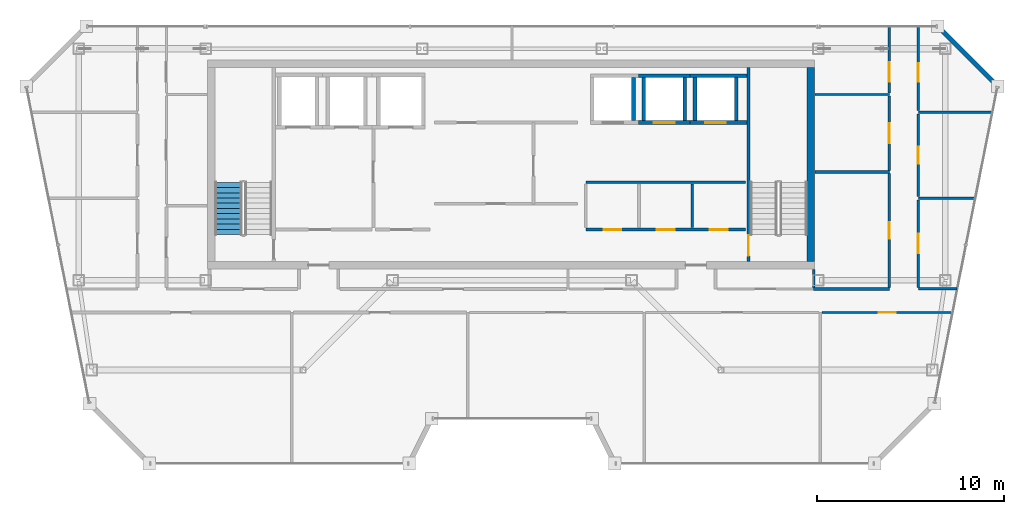
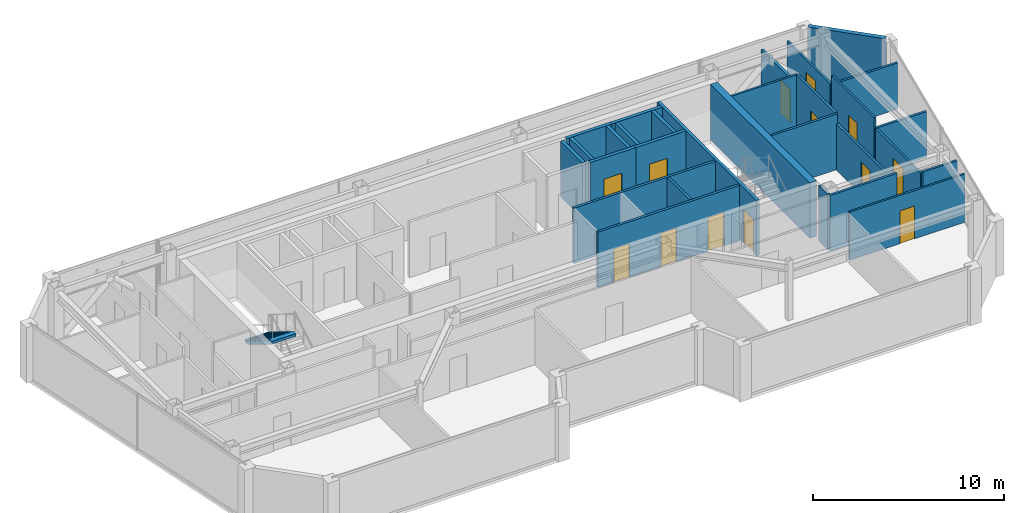
# One storey, part 20 of 24: 29 walls, 13 doors, 1 stair flight, 13 openings, 1 element without a shape of its own.
"""IFC4 building model written with IfcOpenShell, lengths in metres."""

from ifc_helpers import new_model, si_unit, direction, frame, frame_2d, origin, place, context, subcontext, project, spatial, polyline, rectangle, outline, extrude, material, layer, layer_set, type_object, element, fill, aggregate, save


model = new_model("IFC4")

# Units and contexts
model_context = context("Model", 3, precision=1e-05, world=origin(), true_north=direction((0.0, 1.0)))
body_context = subcontext(model_context, "Body", "Model", "MODEL_VIEW")
ifc_project = project(units=[si_unit("LENGTHUNIT", "METRE"), si_unit("AREAUNIT", "SQUARE_METRE"), si_unit("VOLUMEUNIT", "CUBIC_METRE"), si_unit("PLANEANGLEUNIT", "RADIAN"), si_unit("MASSUNIT", "GRAM", prefix="KILO")], contexts=[model_context])

# Site, building, storey
site_placement = place(None, origin())
site = spatial("IfcSite", under=ifc_project, at=site_placement, CompositionType="ELEMENT")
building_placement = place(site_placement, origin())
building = spatial("IfcBuilding", under=site, at=building_placement, Name="Saevonmaru Cultural Tower", CompositionType="ELEMENT")
storey_placement = place(building_placement, frame((0.0, 0.0, 299.0)))
storey = spatial("IfcBuildingStorey", under=building, at=storey_placement, Name="L71", CompositionType="ELEMENT", Elevation=299.0)

# Wall
ifc_material_1 = material(Name="Concrete C50/60", Category="concrete")
ifc_layer_1 = layer(ifc_material_1, 0.39990234375, Name="Concrete C50/60")
ifc_layer_set_1 = layer_set([ifc_layer_1], Name="Concrete C50/60")
wall_type_1 = type_object("IfcWallType", Name="WL-CORE-400", PredefinedType="SHEAR", material=ifc_layer_set_1)
wall_1_placement = place(storey_placement, frame((46.0, 43.39990234375, 0.0), z_axis=(0.0, 0.0, 1.0), x_axis=(0.0, 1.0, 0.0)))
element("IfcWall", 1, at=wall_1_placement, inside=storey, type_object=wall_type_1, Name="L71 Tower RC core shear wall E", PredefinedType="SHEAR", context=body_context, shape_type="SweptSolid", body=[
    extrude(rectangle(XDim=10.400146484375, YDim=0.39990234375, at=frame_2d((5.2001953125, 0.0))), origin(), (0.0, 0.0, 1.0), 3.550048828125),
])

# Wall, openings, doors
ifc_material_2 = material(Name="Gypsum Fireboard Partition", Category="gypsum")
ifc_layer_2 = layer(ifc_material_2, 0.14990234375, Name="Gypsum Fireboard Partition")
ifc_layer_set_2 = layer_set([ifc_layer_2], Name="Gypsum Fireboard Partition")
wall_type_2 = type_object("IfcWallType", Name="WL-CORE-PART-150", PredefinedType="PARTITIONING", material=ifc_layer_set_2)
wall_2_placement = place(storey_placement, frame((33.949951171875, 45.1201171875, 0.0), z_axis=(0.0, 0.0, 1.0), x_axis=(1.0, 0.0, 0.0)))
wall_2 = element("IfcWall", 2, at=wall_2_placement, inside=storey, type_object=wall_type_2, Name="L71 Core Utility South Wall", PredefinedType="PARTITIONING", context=body_context, shape_type="SweptSolid", body=[
    extrude(rectangle(XDim=8.550048828125, YDim=0.14990234375, at=frame_2d((4.27490234375, 0.0))), origin(), (0.0, 0.0, 1.0), 3.550048828125),
])
opening_1_placement = place(wall_2_placement, frame((0.949951171875, 0.0, 0.0)))
opening_1 = element("IfcOpeningElement", 3, at=opening_1_placement, cuts=wall_2, Name="Opening FD-4", PredefinedType="OPENING", context=body_context, shape_type="SweptSolid", body=[
    extrude(rectangle(XDim=0.949951171875, YDim=2.14990234375, at=frame_2d((0.47509765625, 1.074951171875))), frame((0.0, 0.0849609375, 0.0), z_axis=(0.0, -1.0, 0.0), x_axis=(1.0, 0.0, 0.0)), (0.0, 0.0, 1.0), 0.169921875),
])
opening_2_placement = place(wall_2_placement, frame((3.800048828125, 0.0, 0.0)))
opening_2 = element("IfcOpeningElement", 4, at=opening_2_placement, cuts=wall_2, Name="Opening FD-4", PredefinedType="OPENING", context=body_context, shape_type="SweptSolid", body=[
    extrude(rectangle(XDim=0.949951171875, YDim=2.14990234375, at=frame_2d((0.47509765625, 1.074951171875))), frame((0.0, 0.0849609375, 0.0), z_axis=(0.0, -1.0, 0.0), x_axis=(1.0, 0.0, 0.0)), (0.0, 0.0, 1.0), 0.169921875),
])
opening_3_placement = place(wall_2_placement, frame((6.64990234375, 0.0, 0.0)))
opening_3 = element("IfcOpeningElement", 5, at=opening_3_placement, cuts=wall_2, Name="Opening FD-4", PredefinedType="OPENING", context=body_context, shape_type="SweptSolid", body=[
    extrude(rectangle(XDim=0.949951171875, YDim=2.14990234375, at=frame_2d((0.47509765625, 1.074951171875))), frame((0.0, 0.0849609375, 0.0), z_axis=(0.0, -1.0, 0.0), x_axis=(1.0, 0.0, 0.0)), (0.0, 0.0, 1.0), 0.169921875),
])
ifc_material_3 = material(Name="Satin Bronze Anodised Aluminium", Category="aluminium")
door_type_1 = type_object("IfcDoorType", Name="DR-FD60-950", OperationType="SINGLE_SWING_LEFT", PredefinedType="DOOR", material=ifc_material_3)
door_1_placement = place(opening_1_placement, origin())
door_1 = element("IfcDoor", 6, at=door_1_placement, inside=storey, type_object=door_type_1, Name="L71 Meter Plant Door", OperationType="SINGLE_SWING_LEFT", OverallHeight=2.14990234375, OverallWidth=0.949951171875, PredefinedType="DOOR", context=body_context, shape_type="SweptSolid", body=[
    extrude(rectangle(XDim=0.949951171875, YDim=2.14990234375, at=frame_2d((0.47509765625, 1.074951171875))), frame((0.0, 0.02490234375, 0.0), z_axis=(0.0, -1.0, 0.0), x_axis=(1.0, 0.0, 0.0)), (0.0, 0.0, 1.0), 0.050048828125),
])
fill(opening_1, door_1)
door_2_placement = place(opening_2_placement, origin())
door_2 = element("IfcDoor", 7, at=door_2_placement, inside=storey, type_object=door_type_1, Name="L71 AV Rack Plant Door", OperationType="SINGLE_SWING_LEFT", OverallHeight=2.14990234375, OverallWidth=0.949951171875, PredefinedType="DOOR", context=body_context, shape_type="SweptSolid", body=[
    extrude(rectangle(XDim=0.949951171875, YDim=2.14990234375, at=frame_2d((0.47509765625, 1.074951171875))), frame((0.0, 0.02490234375, 0.0), z_axis=(0.0, -1.0, 0.0), x_axis=(1.0, 0.0, 0.0)), (0.0, 0.0, 1.0), 0.050048828125),
])
fill(opening_2, door_2)
door_3_placement = place(opening_3_placement, origin())
door_3 = element("IfcDoor", 8, at=door_3_placement, inside=storey, type_object=door_type_1, Name="L71 Archive Supply Storage Door", OperationType="SINGLE_SWING_LEFT", OverallHeight=2.14990234375, OverallWidth=0.949951171875, PredefinedType="DOOR", context=body_context, shape_type="SweptSolid", body=[
    extrude(rectangle(XDim=0.949951171875, YDim=2.14990234375, at=frame_2d((0.47509765625, 1.074951171875))), frame((0.0, 0.02490234375, 0.0), z_axis=(0.0, -1.0, 0.0), x_axis=(1.0, 0.0, 0.0)), (0.0, 0.0, 1.0), 0.050048828125),
])
fill(opening_3, door_3)

# Walls
wall_3_placement = place(storey_placement, frame((33.949951171875, 47.64990234375, 0.0), z_axis=(0.0, 0.0, 1.0), x_axis=(1.0, 0.0, 0.0)))
element("IfcWall", 9, at=wall_3_placement, inside=storey, type_object=wall_type_2, Name="L71 Core Utility North Wall", PredefinedType="PARTITIONING", context=body_context, shape_type="SweptSolid", body=[
    extrude(rectangle(XDim=8.550048828125, YDim=0.14990234375, at=frame_2d((4.27490234375, 0.0))), origin(), (0.0, 0.0, 1.0), 3.550048828125),
])
wall_4_placement = place(storey_placement, frame((39.64990234375, 45.219970703125, 0.0), z_axis=(0.0, 0.0, 1.0), x_axis=(0.0, 1.0, 0.0)))
element("IfcWall", 10, at=wall_4_placement, inside=storey, type_object=wall_type_2, Name="L71 Utility Divider 2", PredefinedType="PARTITIONING", context=body_context, shape_type="SweptSolid", body=[
    extrude(rectangle(XDim=2.330078125, YDim=0.14990234375, at=frame_2d((1.1650390625, 0.0))), origin(), (0.0, 0.0, 1.0), 3.550048828125),
])
ifc_material_4 = material(Name="Granite-Clad Precast Concrete C40/50", Category="masonry")
ifc_layer_3 = layer(ifc_material_4, 0.260009765625, Name="Granite-Clad Precast Concrete C40/50")
ifc_layer_set_3 = layer_set([ifc_layer_3], Name="Granite-Clad Precast Concrete C40/50")
wall_type_3 = type_object("IfcWallType", Name="WL-EXT-SPANDREL-260", PredefinedType="STANDARD", material=ifc_layer_set_3)
wall_5_placement = place(storey_placement, frame((55.886962890625, 52.9130859375, 0.0), z_axis=(0.0, 0.0, 1.0), x_axis=(-0.707106781187, 0.707106781187, 0.0)))
element("IfcWall", 11, at=wall_5_placement, inside=storey, type_object=wall_type_3, Name="L71 Chamfer Corner Spandrel Wall E9", PredefinedType="STANDARD", context=body_context, shape_type="SweptSolid", body=[
    extrude(rectangle(XDim=4.205810546875, YDim=0.260009765625, at=frame_2d((2.10302734375, 0.0))), origin(), (0.0, 0.0, 1.0), 3.550048828125),
])

# Wall, opening, door
ifc_layer_4 = layer(ifc_material_2, 0.14990234375, Name="Gypsum Fireboard Partition")
ifc_layer_set_4 = layer_set([ifc_layer_4], Name="Gypsum Fireboard Partition")
wall_type_4 = type_object("IfcWallType", Name="WL-PART-FIRE-150", PredefinedType="PARTITIONING", material=ifc_layer_set_4)
wall_6_placement = place(storey_placement, frame((50.199951171875, 48.2900390625, 0.0), z_axis=(0.0, 0.0, 1.0), x_axis=(0.0, 1.0, 0.0)))
wall_6 = element("IfcWall", 12, at=wall_6_placement, inside=storey, type_object=wall_type_4, Name="L71 Sky Observatory Gallery Corridor Wall", PredefinedType="PARTITIONING", context=body_context, shape_type="SweptSolid", body=[
    extrude(rectangle(XDim=3.97998046875, YDim=0.14990234375, at=frame_2d((1.989990234375, 0.0))), origin(), (0.0, 0.0, 1.0), 3.550048828125),
])
opening_4_placement = place(wall_6_placement, frame((1.465087890625, 0.0, 0.0)))
opening_4 = element("IfcOpeningElement", 13, at=opening_4_placement, cuts=wall_6, Name="Opening ID-1", PredefinedType="OPENING", context=body_context, shape_type="SweptSolid", body=[
    extrude(rectangle(XDim=1.050048828125, YDim=2.14990234375, at=frame_2d((0.52490234375, 1.074951171875))), frame((0.0, 0.0849609375, 0.0), z_axis=(0.0, -1.0, 0.0), x_axis=(1.0, 0.0, 0.0)), (0.0, 0.0, 1.0), 0.169921875),
])
door_type_2 = type_object("IfcDoorType", Name="DR-INT-1050", OperationType="SINGLE_SWING_LEFT", PredefinedType="DOOR", material=ifc_material_3)
door_4_placement = place(opening_4_placement, origin())
door_4 = element("IfcDoor", 14, at=door_4_placement, inside=storey, type_object=door_type_2, Name="L71 Sky Observatory Gallery Door", OperationType="SINGLE_SWING_LEFT", OverallHeight=2.14990234375, OverallWidth=1.050048828125, PredefinedType="DOOR", context=body_context, shape_type="SweptSolid", body=[
    extrude(rectangle(XDim=1.050048828125, YDim=2.14990234375, at=frame_2d((0.52490234375, 1.074951171875))), frame((0.0, 0.02490234375, 0.0), z_axis=(0.0, -1.0, 0.0), x_axis=(1.0, 0.0, 0.0)), (0.0, 0.0, 1.0), 0.050048828125),
])
fill(opening_4, door_4)

wall_7_placement = place(storey_placement, frame((50.199951171875, 52.429931640625, 0.0), z_axis=(0.0, 0.0, 1.0), x_axis=(0.0, 1.0, 0.0)))
wall_7 = element("IfcWall", 15, at=wall_7_placement, inside=storey, type_object=wall_type_4, Name="L71 Skyline Exhibition Gallery Corridor Wall", PredefinedType="PARTITIONING", context=body_context, shape_type="SweptSolid", body=[
    extrude(rectangle(XDim=3.565185546875, YDim=0.14990234375, at=frame_2d((1.78271484375, 0.0))), origin(), (0.0, 0.0, 1.0), 2.93505859375),
])
opening_5_placement = place(wall_7_placement, frame((0.596923828125, 0.0, 0.0)))
opening_5 = element("IfcOpeningElement", 16, at=opening_5_placement, cuts=wall_7, Name="Opening ID-1", PredefinedType="OPENING", context=body_context, shape_type="SweptSolid", body=[
    extrude(rectangle(XDim=1.050048828125, YDim=2.14990234375, at=frame_2d((0.52490234375, 1.074951171875))), frame((0.0, 0.0849609375, 0.0), z_axis=(0.0, -1.0, 0.0), x_axis=(1.0, 0.0, 0.0)), (0.0, 0.0, 1.0), 0.169921875),
])
door_5_placement = place(opening_5_placement, origin())
door_5 = element("IfcDoor", 17, at=door_5_placement, inside=storey, type_object=door_type_2, Name="L71 Skyline Exhibition Gallery Door", OperationType="SINGLE_SWING_RIGHT", OverallHeight=2.14990234375, OverallWidth=1.050048828125, PredefinedType="DOOR", context=body_context, shape_type="SweptSolid", body=[
    extrude(rectangle(XDim=1.050048828125, YDim=2.14990234375, at=frame_2d((0.52490234375, 1.074951171875))), frame((0.0, 0.02490234375, 0.0), z_axis=(0.0, -1.0, 0.0), x_axis=(1.0, 0.0, 0.0)), (0.0, 0.0, 1.0), 0.050048828125),
])
fill(opening_5, door_5)

# Wall
ifc_layer_5 = layer(ifc_material_2, 0.1201171875, Name="Gypsum Fireboard Partition")
ifc_layer_set_5 = layer_set([ifc_layer_5], Name="Gypsum Fireboard Partition")
wall_type_5 = type_object("IfcWallType", Name="WL-PART-GYP-120", PredefinedType="PARTITIONING", material=ifc_layer_set_5)
wall_8_placement = place(storey_placement, frame((46.219970703125, 52.35009765625, 0.0), z_axis=(0.0, 0.0, 1.0), x_axis=(1.0, 0.0, 0.0)))
element("IfcWall", 18, at=wall_8_placement, inside=storey, type_object=wall_type_5, Name="L71 North-East Panorama South Wall", PredefinedType="PARTITIONING", context=body_context, shape_type="SweptSolid", body=[
    extrude(rectangle(XDim=3.97998046875, YDim=0.1201171875, at=frame_2d((1.989990234375, 0.0))), origin(), (0.0, 0.0, 1.0), 3.550048828125),
])

# Wall, opening, door
wall_9_placement = place(storey_placement, frame((51.75, 42.027587890625, 0.0), z_axis=(0.0, 0.0, 1.0), x_axis=(0.0, 1.0, 0.0)))
wall_9 = element("IfcWall", 19, at=wall_9_placement, inside=storey, type_object=wall_type_5, Name="L71 Periodical Reading Room Corridor Wall", PredefinedType="PARTITIONING", context=body_context, shape_type="SweptSolid", body=[
    extrude(rectangle(XDim=4.684814453125, YDim=0.1201171875, at=frame_2d((2.34228515625, 0.0))), origin(), (0.0, 0.0, 1.0), 2.947021484375),
])
opening_6_placement = place(wall_9_placement, frame((1.81689453125, 0.0, 0.0)))
opening_6 = element("IfcOpeningElement", 20, at=opening_6_placement, cuts=wall_9, Name="Opening ID-1", PredefinedType="OPENING", context=body_context, shape_type="SweptSolid", body=[
    extrude(rectangle(XDim=1.050048828125, YDim=2.14990234375, at=frame_2d((0.52490234375, 1.074951171875))), frame((0.0, 0.070068359375, 0.0), z_axis=(0.0, -1.0, 0.0), x_axis=(1.0, 0.0, 0.0)), (0.0, 0.0, 1.0), 0.14013671875),
])
door_6_placement = place(opening_6_placement, origin())
door_6 = element("IfcDoor", 21, at=door_6_placement, inside=storey, type_object=door_type_2, Name="L71 Periodical Reading Room Door", OperationType="SINGLE_SWING_LEFT", OverallHeight=2.14990234375, OverallWidth=1.050048828125, PredefinedType="DOOR", context=body_context, shape_type="SweptSolid", body=[
    extrude(rectangle(XDim=1.050048828125, YDim=2.14990234375, at=frame_2d((0.52490234375, 1.074951171875))), frame((0.0, 0.02490234375, 0.0), z_axis=(0.0, -1.0, 0.0), x_axis=(1.0, 0.0, 0.0)), (0.0, 0.0, 1.0), 0.050048828125),
])
fill(opening_6, door_6)

wall_10_placement = place(storey_placement, frame((51.75, 46.887451171875, 0.0), z_axis=(0.0, 0.0, 1.0), x_axis=(0.0, 1.0, 0.0)))
wall_10 = element("IfcWall", 22, at=wall_10_placement, inside=storey, type_object=wall_type_5, Name="L71 Editorial Fellows Office Corridor Wall", PredefinedType="PARTITIONING", context=body_context, shape_type="SweptSolid", body=[
    extrude(rectangle(XDim=4.425048828125, YDim=0.1201171875, at=frame_2d((2.21240234375, 0.0))), origin(), (0.0, 0.0, 1.0), 3.550048828125),
])
opening_7_placement = place(wall_10_placement, frame((1.761962890625, 0.0, 0.0)))
opening_7 = element("IfcOpeningElement", 23, at=opening_7_placement, cuts=wall_10, Name="Opening ID-2", PredefinedType="OPENING", context=body_context, shape_type="SweptSolid", body=[
    extrude(rectangle(XDim=0.89990234375, YDim=2.10009765625, at=frame_2d((0.449951171875, 1.050048828125))), frame((0.0, 0.070068359375, 0.0), z_axis=(0.0, -1.0, 0.0), x_axis=(1.0, 0.0, 0.0)), (0.0, 0.0, 1.0), 0.14013671875),
])
ifc_material_5 = material(Name="Acoustic Stained Oak Timber", Category="wood")
door_type_3 = type_object("IfcDoorType", Name="DR-INT-900", OperationType="SINGLE_SWING_RIGHT", PredefinedType="DOOR", material=ifc_material_5)
door_7_placement = place(opening_7_placement, origin())
door_7 = element("IfcDoor", 24, at=door_7_placement, inside=storey, type_object=door_type_3, Name="L71 Editorial Fellows Office Door", OperationType="SINGLE_SWING_RIGHT", OverallHeight=2.10009765625, OverallWidth=0.89990234375, PredefinedType="DOOR", context=body_context, shape_type="SweptSolid", body=[
    extrude(rectangle(XDim=0.89990234375, YDim=2.10009765625, at=frame_2d((0.449951171875, 1.050048828125))), frame((0.0, 0.02490234375, 0.0), z_axis=(0.0, -1.0, 0.0), x_axis=(1.0, 0.0, 0.0)), (0.0, 0.0, 1.0), 0.050048828125),
])
fill(opening_7, door_7)

wall_11_placement = place(storey_placement, frame((51.75, 51.487548828125, 0.0), z_axis=(0.0, 0.0, 1.0), x_axis=(0.0, 1.0, 0.0)))
wall_11 = element("IfcWall", 25, at=wall_11_placement, inside=storey, type_object=wall_type_5, Name="L71 Terrace Overlook Cafe Corridor Wall", PredefinedType="PARTITIONING", context=body_context, shape_type="SweptSolid", body=[
    extrude(rectangle(XDim=4.507568359375, YDim=0.1201171875, at=frame_2d((2.25390625, 0.0))), origin(), (0.0, 0.0, 1.0), 2.93505859375),
])
opening_8_placement = place(wall_11_placement, frame((1.533935546875, 0.0, 0.0)))
opening_8 = element("IfcOpeningElement", 26, at=opening_8_placement, cuts=wall_11, Name="Opening ID-1B", PredefinedType="OPENING", context=body_context, shape_type="SweptSolid", body=[
    extrude(rectangle(XDim=1.0, YDim=2.14990234375, at=frame_2d((0.5, 1.074951171875))), frame((0.0, 0.070068359375, 0.0), z_axis=(0.0, -1.0, 0.0), x_axis=(1.0, 0.0, 0.0)), (0.0, 0.0, 1.0), 0.14013671875),
])
door_type_4 = type_object("IfcDoorType", Name="DR-INT-1000", OperationType="SINGLE_SWING_RIGHT", PredefinedType="DOOR", material=ifc_material_5)
door_8_placement = place(opening_8_placement, origin())
door_8 = element("IfcDoor", 27, at=door_8_placement, inside=storey, type_object=door_type_4, Name="L71 Terrace Overlook Cafe Door", OperationType="SINGLE_SWING_LEFT", OverallHeight=2.14990234375, OverallWidth=1.0, PredefinedType="DOOR", context=body_context, shape_type="SweptSolid", body=[
    extrude(rectangle(XDim=1.0, YDim=2.14990234375, at=frame_2d((0.5, 1.074951171875))), frame((0.0, 0.02490234375, 0.0), z_axis=(0.0, -1.0, 0.0), x_axis=(1.0, 0.0, 0.0)), (0.0, 0.0, 1.0), 0.050048828125),
])
fill(opening_8, door_8)

wall_12_placement = place(storey_placement, frame((46.597412109375, 40.679931640625, 0.0), z_axis=(0.0, 0.0, 1.0), x_axis=(1.0, 0.0, 0.0)))
wall_12 = element("IfcWall", 28, at=wall_12_placement, inside=storey, type_object=wall_type_5, Name="L71 Editorial Fellows Office Corridor Wall", PredefinedType="PARTITIONING", context=body_context, shape_type="SweptSolid", body=[
    extrude(rectangle(XDim=6.98779296875, YDim=0.1201171875, at=frame_2d((3.493896484375, 0.0))), origin(), (0.0, 0.0, 1.0), 3.0849609375),
])
opening_9_placement = place(wall_12_placement, frame((3.0439453125, 0.0, 0.0)))
opening_9 = element("IfcOpeningElement", 29, at=opening_9_placement, cuts=wall_12, Name="Opening ID-2", PredefinedType="OPENING", context=body_context, shape_type="SweptSolid", body=[
    extrude(rectangle(XDim=0.89990234375, YDim=2.10009765625, at=frame_2d((0.449951171875, 1.050048828125))), frame((0.0, 0.070068359375, 0.0), z_axis=(0.0, -1.0, 0.0), x_axis=(1.0, 0.0, 0.0)), (0.0, 0.0, 1.0), 0.14013671875),
])
door_9_placement = place(opening_9_placement, origin())
door_9 = element("IfcDoor", 30, at=door_9_placement, inside=storey, type_object=door_type_3, Name="L71 Editorial Fellows Office Door", OperationType="SINGLE_SWING_RIGHT", OverallHeight=2.10009765625, OverallWidth=0.89990234375, PredefinedType="DOOR", context=body_context, shape_type="SweptSolid", body=[
    extrude(rectangle(XDim=0.89990234375, YDim=2.10009765625, at=frame_2d((0.449951171875, 1.050048828125))), frame((0.0, 0.02490234375, 0.0), z_axis=(0.0, -1.0, 0.0), x_axis=(1.0, 0.0, 0.0)), (0.0, 0.0, 1.0), 0.050048828125),
])
fill(opening_9, door_9)

# Walls
ifc_layer_6 = layer(ifc_material_2, 0.135009765625, Name="Gypsum Fireboard Partition")
ifc_layer_set_6 = layer_set([ifc_layer_6], Name="Gypsum Fireboard Partition")
wall_type_6 = type_object("IfcWallType", Name="WL-PART-GYP-135", PredefinedType="PARTITIONING", material=ifc_layer_set_6)
wall_13_placement = place(storey_placement, frame((51.75, 41.93994140625, 0.0), z_axis=(0.0, 0.0, 1.0), x_axis=(1.0, 0.0, 0.0)))
element("IfcWall", 31, at=wall_13_placement, inside=storey, type_object=wall_type_6, Name="L71 NE Wing South Wall", PredefinedType="PARTITIONING", context=body_context, shape_type="SweptSolid", body=[
    extrude(rectangle(XDim=2.085693359375, YDim=0.135009765625, at=frame_2d((1.04296875, 0.0))), origin(), (0.0, 0.0, 1.0), 3.0849609375),
])
wall_14_placement = place(storey_placement, frame((51.75, 46.800048828125, 0.0), z_axis=(0.0, 0.0, 1.0), x_axis=(1.0, 0.0, 0.0)))
element("IfcWall", 32, at=wall_14_placement, inside=storey, type_object=wall_type_6, Name="L71 NE Studio Divider 1", PredefinedType="PARTITIONING", context=body_context, shape_type="SweptSolid", body=[
    extrude(rectangle(XDim=3.052001953125, YDim=0.135009765625, at=frame_2d((1.52587890625, 0.0))), origin(), (0.0, 0.0, 1.0), 2.947021484375),
])
wall_15_placement = place(storey_placement, frame((51.75, 51.39990234375, 0.0), z_axis=(0.0, 0.0, 1.0), x_axis=(1.0, 0.0, 0.0)))
element("IfcWall", 33, at=wall_15_placement, inside=storey, type_object=wall_type_6, Name="L71 NE Studio Divider 2", PredefinedType="PARTITIONING", context=body_context, shape_type="SweptSolid", body=[
    extrude(rectangle(XDim=3.966552734375, YDim=0.135009765625, at=frame_2d((1.9833984375, 0.0))), origin(), (0.0, 0.0, 1.0), 2.947021484375),
])
ifc_layer_7 = layer(ifc_material_2, 0.139892578125, Name="Gypsum Fireboard Partition")
ifc_layer_set_7 = layer_set([ifc_layer_7], Name="Gypsum Fireboard Partition")
wall_type_7 = type_object("IfcWallType", Name="WL-PART-WET-140", PredefinedType="PARTITIONING", material=ifc_layer_set_7)
wall_16_placement = place(storey_placement, frame((46.14990234375, 41.93994140625, 0.0), z_axis=(0.0, 0.0, 1.0), x_axis=(1.0, 0.0, 0.0)))
element("IfcWall", 34, at=wall_16_placement, inside=storey, type_object=wall_type_7, Name="L71 Washroom South Wall", PredefinedType="PARTITIONING", context=body_context, shape_type="SweptSolid", body=[
    extrude(rectangle(XDim=4.050048828125, YDim=0.139892578125, at=frame_2d((2.02490234375, 0.0))), origin(), (0.0, 0.0, 1.0), 3.550048828125),
])
wall_17_placement = place(storey_placement, frame((46.14990234375, 42.030029296875, 0.0), z_axis=(0.0, 0.0, 1.0), x_axis=(0.0, 1.0, 0.0)))
element("IfcWall", 35, at=wall_17_placement, inside=storey, type_object=wall_type_7, Name="L71 Washroom South-West Return", PredefinedType="PARTITIONING", context=body_context, shape_type="SweptSolid", body=[
    extrude(rectangle(XDim=0.949951171875, YDim=0.139892578125, at=frame_2d((0.47509765625, 0.0))), origin(), (0.0, 0.0, 1.0), 3.550048828125),
])
wall_18_placement = place(storey_placement, frame((46.219970703125, 48.199951171875, 0.0), z_axis=(0.0, 0.0, 1.0), x_axis=(1.0, 0.0, 0.0)))
element("IfcWall", 36, at=wall_18_placement, inside=storey, type_object=wall_type_7, Name="L71 Washroom North Wall", PredefinedType="PARTITIONING", context=body_context, shape_type="SweptSolid", body=[
    extrude(rectangle(XDim=3.97998046875, YDim=0.139892578125, at=frame_2d((1.989990234375, 0.0))), origin(), (0.0, 0.0, 1.0), 3.550048828125),
])

# Wall, opening, door
wall_19_placement = place(storey_placement, frame((50.199951171875, 42.030029296875, 0.0), z_axis=(0.0, 0.0, 1.0), x_axis=(0.0, 1.0, 0.0)))
wall_19 = element("IfcWall", 37, at=wall_19_placement, inside=storey, type_object=wall_type_7, Name="L71 Washroom Corridor Wall", PredefinedType="PARTITIONING", context=body_context, shape_type="SweptSolid", body=[
    extrude(rectangle(XDim=6.080078125, YDim=0.139892578125, at=frame_2d((3.0400390625, 0.0))), origin(), (0.0, 0.0, 1.0), 2.947021484375),
])
opening_10_placement = place(wall_19_placement, frame((2.590087890625, 0.0, 0.0)))
opening_10 = element("IfcOpeningElement", 38, at=opening_10_placement, cuts=wall_19, Name="Opening ID-2", PredefinedType="OPENING", context=body_context, shape_type="SweptSolid", body=[
    extrude(rectangle(XDim=0.89990234375, YDim=2.10009765625, at=frame_2d((0.449951171875, 1.050048828125))), frame((0.0, 0.080078125, 0.0), z_axis=(0.0, -1.0, 0.0), x_axis=(1.0, 0.0, 0.0)), (0.0, 0.0, 1.0), 0.159912109375),
])
door_10_placement = place(opening_10_placement, origin())
door_10 = element("IfcDoor", 39, at=door_10_placement, inside=storey, type_object=door_type_3, Name="L71 Public Accessible Washrooms Door", OperationType="SINGLE_SWING_RIGHT", OverallHeight=2.10009765625, OverallWidth=0.89990234375, PredefinedType="DOOR", context=body_context, shape_type="SweptSolid", body=[
    extrude(rectangle(XDim=0.89990234375, YDim=2.10009765625, at=frame_2d((0.449951171875, 1.050048828125))), frame((0.0, 0.02490234375, 0.0), z_axis=(0.0, -1.0, 0.0), x_axis=(1.0, 0.0, 0.0)), (0.0, 0.0, 1.0), 0.050048828125),
])
fill(opening_10, door_10)

# Wall
ifc_material_6 = material(Name="Concrete C40/50", Category="concrete")
ifc_layer_8 = layer(ifc_material_6, 0.199951171875, Name="Concrete C40/50")
ifc_layer_set_8 = layer_set([ifc_layer_8], Name="Concrete C40/50")
wall_type_8 = type_object("IfcWallType", Name="WL-SHAFT-200", PredefinedType="SHEAR", material=ifc_layer_set_8)
wall_20_placement = place(storey_placement, frame((36.5, 50.949951171875, 0.0), z_axis=(0.0, 0.0, 1.0), x_axis=(0.0, 1.0, 0.0)))
element("IfcWall", 40, at=wall_20_placement, inside=storey, type_object=wall_type_8, Name="L71 Lift PL-H1 Hoistway Wall E", PredefinedType="SHEAR", context=body_context, shape_type="SweptSolid", body=[
    extrude(rectangle(XDim=2.300048828125, YDim=0.199951171875, at=frame_2d((1.14990234375, 0.0))), origin(), (0.0, 0.0, 1.0), 3.550048828125),
])

# Wall, opening, door
wall_21_placement = place(storey_placement, frame((36.77490234375, 50.85009765625, 0.0), z_axis=(0.0, 0.0, 1.0), x_axis=(1.0, 0.0, 0.0)))
wall_21 = element("IfcWall", 41, at=wall_21_placement, inside=storey, type_object=wall_type_8, Name="L71 Lift PL-H2 Hoistway Wall S", PredefinedType="SHEAR", context=body_context, shape_type="SweptSolid", body=[
    extrude(rectangle(XDim=2.75, YDim=0.199951171875, at=frame_2d((1.375, 0.0))), origin(), (0.0, 0.0, 1.0), 3.550048828125),
])
opening_11_placement = place(wall_21_placement, frame((0.824951171875, 0.0, 0.0)))
opening_11 = element("IfcOpeningElement", 42, at=opening_11_placement, cuts=wall_21, Name="Opening LD-1", PredefinedType="OPENING", context=body_context, shape_type="SweptSolid", body=[
    extrude(rectangle(XDim=1.10009765625, YDim=2.199951171875, at=frame_2d((0.550048828125, 1.10009765625))), frame((0.0, 0.10986328125, 0.0), z_axis=(0.0, -1.0, 0.0), x_axis=(1.0, 0.0, 0.0)), (0.0, 0.0, 1.0), 0.219970703125),
])
ifc_material_7 = material(Name="Satin Bronze Stainless Steel", Category="steel")
door_type_5 = type_object("IfcDoorType", Name="DR-LIFT-1100", OperationType="SLIDING_TO_LEFT", PredefinedType="DOOR", material=ifc_material_7)
door_11_placement = place(opening_11_placement, origin())
door_11 = element("IfcDoor", 43, at=door_11_placement, inside=storey, type_object=door_type_5, Name="L71 Lift PL-H2 Sliding Landing Door", OperationType="SLIDING_TO_LEFT", OverallHeight=2.199951171875, OverallWidth=1.10009765625, PredefinedType="DOOR", context=body_context, shape_type="SweptSolid", body=[
    extrude(rectangle(XDim=1.10009765625, YDim=2.199951171875, at=frame_2d((0.550048828125, 1.10009765625))), frame((0.0, 0.02490234375, 0.0), z_axis=(0.0, -1.0, 0.0), x_axis=(1.0, 0.0, 0.0)), (0.0, 0.0, 1.0), 0.050048828125),
])
fill(opening_11, door_11)

# Walls
wall_22_placement = place(storey_placement, frame((36.77490234375, 53.35009765625, 0.0), z_axis=(0.0, 0.0, 1.0), x_axis=(1.0, 0.0, 0.0)))
element("IfcWall", 44, at=wall_22_placement, inside=storey, type_object=wall_type_8, Name="L71 Lift PL-H2 Hoistway Wall N", PredefinedType="SHEAR", context=body_context, shape_type="SweptSolid", body=[
    extrude(rectangle(XDim=2.75, YDim=0.199951171875, at=frame_2d((1.375, 0.0))), origin(), (0.0, 0.0, 1.0), 3.550048828125),
])
for number, where, z_axis, x_axis, name in (
    (45, (37.050048828125, 50.949951171875, 0.0), (0.0, 0.0, 1.0), (0.0, 1.0, 0.0), "L71 Lift PL-H2 Hoistway Wall W"),
    (46, (39.25, 50.949951171875, 0.0), (0.0, 0.0, 1.0), (0.0, 1.0, 0.0), "L71 Lift PL-H2 Hoistway Wall E"),
):
    element("IfcWall", number, at=place(storey_placement, frame(where, z_axis=z_axis, x_axis=x_axis)), inside=storey, type_object=wall_type_8, Name=name, PredefinedType="SHEAR", context=body_context, shape_type="SweptSolid", body=[
        extrude(rectangle(XDim=2.300048828125, YDim=0.199951171875, at=frame_2d((1.14990234375, 0.0))), origin(), (0.0, 0.0, 1.0), 3.550048828125),
    ])

# Wall, opening, door
wall_23_placement = place(storey_placement, frame((39.52490234375, 50.85009765625, 0.0), z_axis=(0.0, 0.0, 1.0), x_axis=(1.0, 0.0, 0.0)))
wall_23 = element("IfcWall", 47, at=wall_23_placement, inside=storey, type_object=wall_type_8, Name="L71 Lift PL-H3 Hoistway Wall S", PredefinedType="SHEAR", context=body_context, shape_type="SweptSolid", body=[
    extrude(rectangle(XDim=3.045166015625, YDim=0.199951171875, at=frame_2d((1.5224609375, 0.0))), origin(), (0.0, 0.0, 1.0), 3.550048828125),
])
opening_12_placement = place(wall_23_placement, frame((0.824951171875, 0.0, 0.0)))
opening_12 = element("IfcOpeningElement", 48, at=opening_12_placement, cuts=wall_23, Name="Opening LD-1", PredefinedType="OPENING", context=body_context, shape_type="SweptSolid", body=[
    extrude(rectangle(XDim=1.10009765625, YDim=2.199951171875, at=frame_2d((0.550048828125, 1.10009765625))), frame((0.0, 0.10986328125, 0.0), z_axis=(0.0, -1.0, 0.0), x_axis=(1.0, 0.0, 0.0)), (0.0, 0.0, 1.0), 0.219970703125),
])
door_12_placement = place(opening_12_placement, origin())
door_12 = element("IfcDoor", 49, at=door_12_placement, inside=storey, type_object=door_type_5, Name="L71 Lift PL-H3 Sliding Landing Door", OperationType="SLIDING_TO_LEFT", OverallHeight=2.199951171875, OverallWidth=1.10009765625, PredefinedType="DOOR", context=body_context, shape_type="SweptSolid", body=[
    extrude(rectangle(XDim=1.10009765625, YDim=2.199951171875, at=frame_2d((0.550048828125, 1.10009765625))), frame((0.0, 0.02490234375, 0.0), z_axis=(0.0, -1.0, 0.0), x_axis=(1.0, 0.0, 0.0)), (0.0, 0.0, 1.0), 0.050048828125),
])
fill(opening_12, door_12)

# Walls
wall_24_placement = place(storey_placement, frame((39.52490234375, 53.35009765625, 0.0), z_axis=(0.0, 0.0, 1.0), x_axis=(1.0, 0.0, 0.0)))
element("IfcWall", 50, at=wall_24_placement, inside=storey, type_object=wall_type_8, Name="L71 Lift PL-H3 Hoistway Wall N", PredefinedType="SHEAR", context=body_context, shape_type="SweptSolid", body=[
    extrude(rectangle(XDim=3.045166015625, YDim=0.199951171875, at=frame_2d((1.5224609375, 0.0))), origin(), (0.0, 0.0, 1.0), 3.550048828125),
])
for number, where, z_axis, x_axis, name in (
    (51, (39.800048828125, 50.949951171875, 0.0), (0.0, 0.0, 1.0), (0.0, 1.0, 0.0), "L71 Lift PL-H3 Hoistway Wall W"),
    (52, (42.0, 50.949951171875, 0.0), (0.0, 0.0, 1.0), (0.0, 1.0, 0.0), "L71 Lift PL-H3 Hoistway Wall E"),
):
    element("IfcWall", number, at=place(storey_placement, frame(where, z_axis=z_axis, x_axis=x_axis)), inside=storey, type_object=wall_type_8, Name=name, PredefinedType="SHEAR", context=body_context, shape_type="SweptSolid", body=[
        extrude(rectangle(XDim=2.300048828125, YDim=0.199951171875, at=frame_2d((1.14990234375, 0.0))), origin(), (0.0, 0.0, 1.0), 3.550048828125),
    ])

# Wall, opening, door
ifc_layer_9 = layer(ifc_material_6, 0.179931640625, Name="Concrete C40/50")
ifc_layer_set_9 = layer_set([ifc_layer_9], Name="Concrete C40/50")
wall_type_9 = type_object("IfcWallType", Name="WL-STSHAFT-180", PredefinedType="SHEAR", material=ifc_layer_set_9)
wall_25_placement = place(storey_placement, frame((42.659912109375, 53.800048828125, 0.0), z_axis=(0.0, 0.0, 1.0), x_axis=(0.0, -1.0, 0.0)))
wall_25 = element("IfcWall", 53, at=wall_25_placement, inside=storey, type_object=wall_type_9, Name="L71 Stair ST-2 Structural Shaft Wall 1", PredefinedType="SHEAR", context=body_context, shape_type="SweptSolid", body=[
    extrude(rectangle(XDim=10.400146484375, YDim=0.179931640625, at=frame_2d((5.2001953125, 0.0))), origin(), (0.0, 0.0, 1.0), 3.550048828125),
])
opening_13_placement = place(wall_25_placement, frame((8.989990234375, 0.0, 0.0)))
opening_13 = element("IfcOpeningElement", 54, at=opening_13_placement, cuts=wall_25, Name="Opening FD-2", PredefinedType="OPENING", context=body_context, shape_type="SweptSolid", body=[
    extrude(rectangle(XDim=1.10009765625, YDim=2.14990234375, at=frame_2d((0.550048828125, 1.074951171875))), frame((0.0, 0.10009765625, 0.0), z_axis=(0.0, -1.0, 0.0), x_axis=(1.0, 0.0, 0.0)), (0.0, 0.0, 1.0), 0.199951171875),
])
door_type_6 = type_object("IfcDoorType", Name="DR-FD60-1100", OperationType="SINGLE_SWING_LEFT", PredefinedType="DOOR", material=ifc_material_3)
door_13_placement = place(opening_13_placement, origin())
door_13 = element("IfcDoor", 55, at=door_13_placement, inside=storey, type_object=door_type_6, Name="L71 Protected Stair ST-2 Fire Door", OperationType="SINGLE_SWING_LEFT", OverallHeight=2.14990234375, OverallWidth=1.10009765625, PredefinedType="DOOR", context=body_context, shape_type="SweptSolid", body=[
    extrude(rectangle(XDim=1.10009765625, YDim=2.14990234375, at=frame_2d((0.550048828125, 1.074951171875))), frame((0.0, 0.02490234375, 0.0), z_axis=(0.0, -1.0, 0.0), x_axis=(1.0, 0.0, 0.0)), (0.0, 0.0, 1.0), 0.050048828125),
])
fill(opening_13, door_13)

# Stair, stair flight
stair_type = type_object("IfcStairType", Name="STR-DOGLEG-RC", PredefinedType="HALF_TURN_STAIR", material=ifc_material_6)
stair_placement = place(storey_placement, origin())
stair = element("IfcStair", 56, at=stair_placement, inside=storey, type_object=stair_type, Name="L71 Protected exit stair ST-1", PredefinedType="HALF_TURN_STAIR")
ifc_material_8 = material(Name="Precast concrete C40/50", Category="concrete")
stair_flight_type = type_object("IfcStairFlightType", Name="STF-PRECAST-180", PredefinedType="STRAIGHT", material=ifc_material_8)
stair_flight_placement = place(storey_placement, frame((14.824951171875, 47.64990234375, 1.89990234375), z_axis=(0.0, 0.0, 1.0), x_axis=(0.0, -1.0, 0.0)))
stair_flight = element("IfcStairFlight", 57, at=stair_flight_placement, type_object=stair_flight_type, Name="ST-1-L71 flight 2", NumberOfRisers=11, NumberOfTreads=10, PredefinedType="STRAIGHT", RiserHeight=0.172727273, TreadLength=0.28, context=body_context, shape_type="SweptSolid", body=[
    extrude(outline(polyline([(0.0, 0.0), (0.0, 0.172607421875), (0.280029296875, 0.172607421875), (0.280029296875, 0.345458984375), (0.56005859375, 0.345458984375), (0.56005859375, 0.51806640625), (0.840087890625, 0.51806640625), (0.840087890625, 0.69091796875), (1.1201171875, 0.69091796875), (1.1201171875, 0.863525390625), (1.39990234375, 0.863525390625), (1.39990234375, 1.036376953125), (1.679931640625, 1.036376953125), (1.679931640625, 1.208984375), (1.9599609375, 1.208984375), (1.9599609375, 1.3818359375), (2.239990234375, 1.3818359375), (2.239990234375, 1.554443359375), (2.52001953125, 1.554443359375), (2.52001953125, 1.727294921875), (2.800048828125, 1.727294921875), (2.800048828125, 1.89990234375), (2.800048828125, 1.551025390625), (0.285400390625, 0.0), (0.0, 0.0)])), frame((0.0, 0.72509765625, 0.0), z_axis=(0.0, -1.0, 0.0), x_axis=(1.0, 0.0, 0.0)), (0.0, 0.0, 1.0), 1.449951171875),
])
aggregate(stair, [stair_flight])

save(model, "model.ifc")
